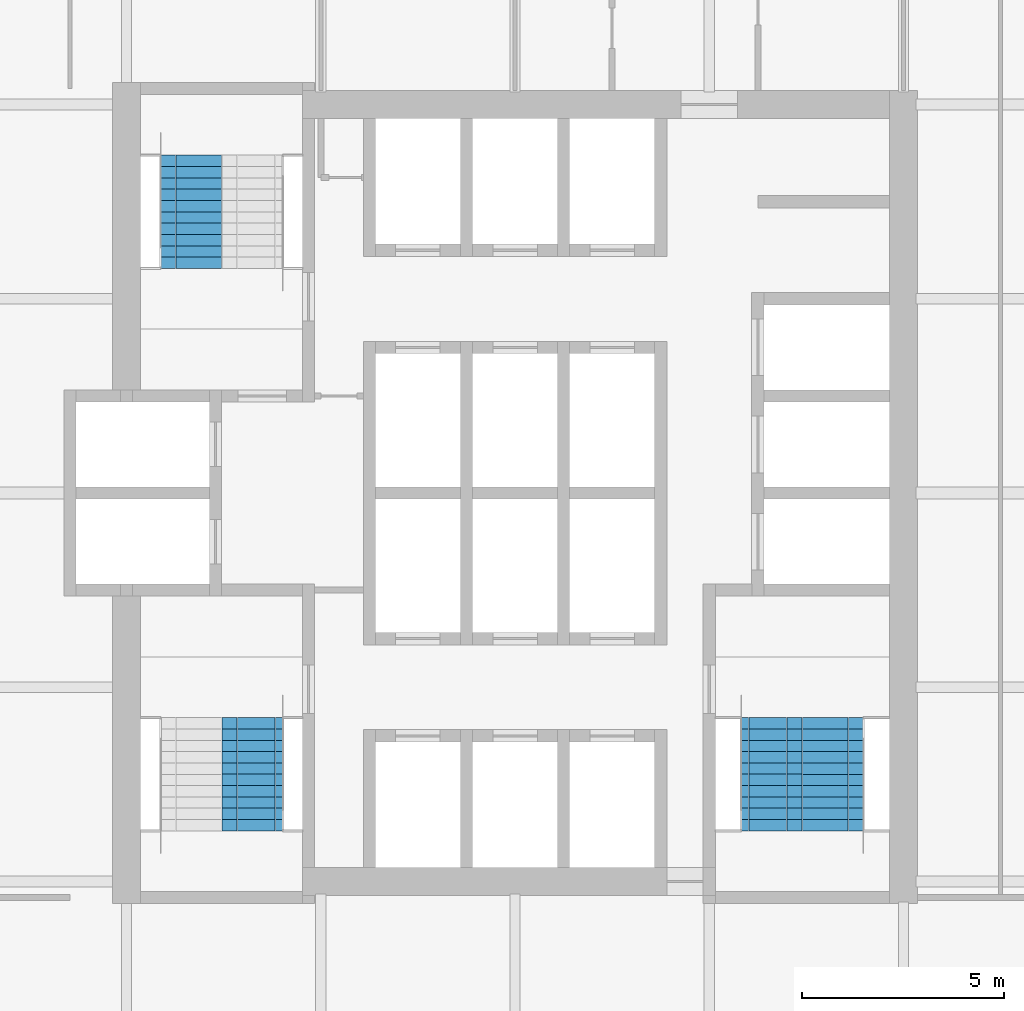
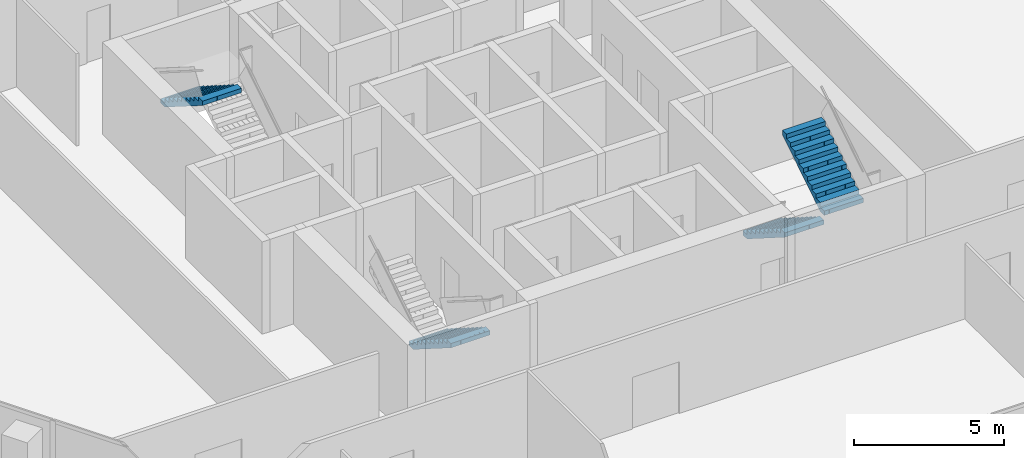
# One storey, part 12 of 15: 4 stair flights, 3 elements without a shape of their own.
"""IFC4 building model written with IfcOpenShell, lengths in metres."""

from ifc_helpers import new_model, si_unit, direction, frame, origin, place, context, subcontext, project, spatial, polyline, outline, extrude, material, type_object, element, aggregate, save


model = new_model("IFC4")

# Units and contexts
model_context = context("Model", 3, precision=1e-05, world=origin(), true_north=direction((0.0, 1.0)))
body_context = subcontext(model_context, "Body", "Model", "MODEL_VIEW")
ifc_project = project(units=[si_unit("LENGTHUNIT", "METRE"), si_unit("AREAUNIT", "SQUARE_METRE"), si_unit("VOLUMEUNIT", "CUBIC_METRE"), si_unit("PLANEANGLEUNIT", "RADIAN"), si_unit("MASSUNIT", "GRAM", prefix="KILO")], contexts=[model_context])

# Site, building, storey
site_placement = place(None, origin())
site = spatial("IfcSite", under=ifc_project, at=site_placement, CompositionType="ELEMENT")
building_placement = place(site_placement, origin())
building = spatial("IfcBuilding", under=site, at=building_placement, Name="Kolab Exchange Tower", CompositionType="ELEMENT")
storey_placement = place(building_placement, frame((0.0, 0.0, 158.300048828125)))
storey = spatial("IfcBuildingStorey", under=building, at=storey_placement, Name="L32", CompositionType="ELEMENT", Elevation=158.300048828125)

# Stair, stair flight
ifc_material = material(Name="Concrete C50/60", Category="concrete")
stair_type_1 = type_object("IfcStairType", Name="STAIR ST1 RISER 177.3", PredefinedType="HALF_TURN_STAIR", material=ifc_material)
stair_1_placement = place(storey_placement, origin())
stair_1 = element("IfcStair", 1, at=stair_1_placement, inside=storey, type_object=stair_type_1, Name="Stair 1", PredefinedType="HALF_TURN_STAIR")
stair_flight_type = type_object("IfcStairFlightType", Name="STAIR FLIGHT 1500 RISER 177.3", PredefinedType="STRAIGHT", material=ifc_material)
stair_flight_1_placement = place(storey_placement, frame((-8.010009765625, 8.35009765625, 1.949951171875), z_axis=(0.0, 0.0, 1.0), x_axis=(0.0, -1.0, 0.0)))
stair_flight_1 = element("IfcStairFlight", 2, at=stair_flight_1_placement, type_object=stair_flight_type, Name="ST1 flight 2", NumberOfRisers=11, NumberOfTreads=10, PredefinedType="STRAIGHT", RiserHeight=0.177272727, TreadLength=0.28, context=body_context, shape_type="SweptSolid", body=[
    extrude(outline(polyline([(0.0, 0.0), (0.0, 0.17724609375), (0.280029296875, 0.17724609375), (0.280029296875, 0.3544921875), (0.56005859375, 0.3544921875), (0.56005859375, 0.53173828125), (0.840087890625, 0.53173828125), (0.840087890625, 0.708984375), (1.1201171875, 0.708984375), (1.1201171875, 0.886474609375), (1.39990234375, 0.886474609375), (1.39990234375, 1.063720703125), (1.679931640625, 1.063720703125), (1.679931640625, 1.240966796875), (1.9599609375, 1.240966796875), (1.9599609375, 1.418212890625), (2.239990234375, 1.418212890625), (2.239990234375, 1.595458984375), (2.52001953125, 1.595458984375), (2.52001953125, 1.772705078125), (2.800048828125, 1.772705078125), (2.800048828125, 1.949951171875), (2.800048828125, 1.59521484375), (0.2802734375, 0.0), (0.0, 0.0)])), frame((0.0, 0.75, 0.0), z_axis=(0.0, -1.0, 0.0), x_axis=(1.0, 0.0, 0.0)), (0.0, 0.0, 1.0), 0.185791015625),
    extrude(outline(polyline([(0.0, 0.0), (0.0, 0.17724609375), (0.280029296875, 0.17724609375), (0.280029296875, 0.3544921875), (0.56005859375, 0.3544921875), (0.56005859375, 0.53173828125), (0.840087890625, 0.53173828125), (0.840087890625, 0.708984375), (1.1201171875, 0.708984375), (1.1201171875, 0.886474609375), (1.39990234375, 0.886474609375), (1.39990234375, 1.063720703125), (1.679931640625, 1.063720703125), (1.679931640625, 1.240966796875), (1.9599609375, 1.240966796875), (1.9599609375, 1.418212890625), (2.239990234375, 1.418212890625), (2.239990234375, 1.595458984375), (2.52001953125, 1.595458984375), (2.52001953125, 1.772705078125), (2.800048828125, 1.772705078125), (2.800048828125, 1.949951171875), (2.800048828125, 1.59521484375), (0.2802734375, 0.0), (0.0, 0.0)])), frame((0.0, 0.562255859375, 0.0), z_axis=(0.0, -1.0, 0.0), x_axis=(1.0, 0.0, 0.0)), (0.0, 0.0, 1.0), 0.185791015625),
    extrude(outline(polyline([(0.0, 0.0), (0.0, 0.17724609375), (0.280029296875, 0.17724609375), (0.280029296875, 0.3544921875), (0.56005859375, 0.3544921875), (0.56005859375, 0.53173828125), (0.840087890625, 0.53173828125), (0.840087890625, 0.708984375), (1.1201171875, 0.708984375), (1.1201171875, 0.886474609375), (1.39990234375, 0.886474609375), (1.39990234375, 1.063720703125), (1.679931640625, 1.063720703125), (1.679931640625, 1.240966796875), (1.9599609375, 1.240966796875), (1.9599609375, 1.418212890625), (2.239990234375, 1.418212890625), (2.239990234375, 1.595458984375), (2.52001953125, 1.595458984375), (2.52001953125, 1.772705078125), (2.800048828125, 1.772705078125), (2.800048828125, 1.949951171875), (2.800048828125, 1.59521484375), (0.2802734375, 0.0), (0.0, 0.0)])), frame((0.0, 0.37451171875, 0.0), z_axis=(0.0, -1.0, 0.0), x_axis=(1.0, 0.0, 0.0)), (0.0, 0.0, 1.0), 0.185791015625),
    extrude(outline(polyline([(0.0, 0.0), (0.0, 0.17724609375), (0.280029296875, 0.17724609375), (0.280029296875, 0.3544921875), (0.56005859375, 0.3544921875), (0.56005859375, 0.53173828125), (0.840087890625, 0.53173828125), (0.840087890625, 0.708984375), (1.1201171875, 0.708984375), (1.1201171875, 0.886474609375), (1.39990234375, 0.886474609375), (1.39990234375, 1.063720703125), (1.679931640625, 1.063720703125), (1.679931640625, 1.240966796875), (1.9599609375, 1.240966796875), (1.9599609375, 1.418212890625), (2.239990234375, 1.418212890625), (2.239990234375, 1.595458984375), (2.52001953125, 1.595458984375), (2.52001953125, 1.772705078125), (2.800048828125, 1.772705078125), (2.800048828125, 1.949951171875), (2.800048828125, 1.59521484375), (0.2802734375, 0.0), (0.0, 0.0)])), frame((0.0, 0.186767578125, 0.0), z_axis=(0.0, -1.0, 0.0), x_axis=(1.0, 0.0, 0.0)), (0.0, 0.0, 1.0), 0.185791015625),
    extrude(outline(polyline([(0.0, 0.0), (0.0, 0.17724609375), (0.280029296875, 0.17724609375), (0.280029296875, 0.3544921875), (0.56005859375, 0.3544921875), (0.56005859375, 0.53173828125), (0.840087890625, 0.53173828125), (0.840087890625, 0.708984375), (1.1201171875, 0.708984375), (1.1201171875, 0.886474609375), (1.39990234375, 0.886474609375), (1.39990234375, 1.063720703125), (1.679931640625, 1.063720703125), (1.679931640625, 1.240966796875), (1.9599609375, 1.240966796875), (1.9599609375, 1.418212890625), (2.239990234375, 1.418212890625), (2.239990234375, 1.595458984375), (2.52001953125, 1.595458984375), (2.52001953125, 1.772705078125), (2.800048828125, 1.772705078125), (2.800048828125, 1.949951171875), (2.800048828125, 1.59521484375), (0.2802734375, 0.0), (0.0, 0.0)])), frame((0.0, -0.0009765625, 0.0), z_axis=(0.0, -1.0, 0.0), x_axis=(1.0, 0.0, 0.0)), (0.0, 0.0, 1.0), 0.185791015625),
    extrude(outline(polyline([(0.0, 0.0), (0.0, 0.17724609375), (0.280029296875, 0.17724609375), (0.280029296875, 0.3544921875), (0.56005859375, 0.3544921875), (0.56005859375, 0.53173828125), (0.840087890625, 0.53173828125), (0.840087890625, 0.708984375), (1.1201171875, 0.708984375), (1.1201171875, 0.886474609375), (1.39990234375, 0.886474609375), (1.39990234375, 1.063720703125), (1.679931640625, 1.063720703125), (1.679931640625, 1.240966796875), (1.9599609375, 1.240966796875), (1.9599609375, 1.418212890625), (2.239990234375, 1.418212890625), (2.239990234375, 1.595458984375), (2.52001953125, 1.595458984375), (2.52001953125, 1.772705078125), (2.800048828125, 1.772705078125), (2.800048828125, 1.949951171875), (2.800048828125, 1.59521484375), (0.2802734375, 0.0), (0.0, 0.0)])), frame((0.0, -0.188720703125, 0.0), z_axis=(0.0, -1.0, 0.0), x_axis=(1.0, 0.0, 0.0)), (0.0, 0.0, 1.0), 0.185791015625),
    extrude(outline(polyline([(0.0, 0.0), (0.0, 0.17724609375), (0.280029296875, 0.17724609375), (0.280029296875, 0.3544921875), (0.56005859375, 0.3544921875), (0.56005859375, 0.53173828125), (0.840087890625, 0.53173828125), (0.840087890625, 0.708984375), (1.1201171875, 0.708984375), (1.1201171875, 0.886474609375), (1.39990234375, 0.886474609375), (1.39990234375, 1.063720703125), (1.679931640625, 1.063720703125), (1.679931640625, 1.240966796875), (1.9599609375, 1.240966796875), (1.9599609375, 1.418212890625), (2.239990234375, 1.418212890625), (2.239990234375, 1.595458984375), (2.52001953125, 1.595458984375), (2.52001953125, 1.772705078125), (2.800048828125, 1.772705078125), (2.800048828125, 1.949951171875), (2.800048828125, 1.59521484375), (0.2802734375, 0.0), (0.0, 0.0)])), frame((0.0, -0.37646484375, 0.0), z_axis=(0.0, -1.0, 0.0), x_axis=(1.0, 0.0, 0.0)), (0.0, 0.0, 1.0), 0.185791015625),
    extrude(outline(polyline([(0.0, 0.0), (0.0, 0.17724609375), (0.280029296875, 0.17724609375), (0.280029296875, 0.3544921875), (0.56005859375, 0.3544921875), (0.56005859375, 0.53173828125), (0.840087890625, 0.53173828125), (0.840087890625, 0.708984375), (1.1201171875, 0.708984375), (1.1201171875, 0.886474609375), (1.39990234375, 0.886474609375), (1.39990234375, 1.063720703125), (1.679931640625, 1.063720703125), (1.679931640625, 1.240966796875), (1.9599609375, 1.240966796875), (1.9599609375, 1.418212890625), (2.239990234375, 1.418212890625), (2.239990234375, 1.595458984375), (2.52001953125, 1.595458984375), (2.52001953125, 1.772705078125), (2.800048828125, 1.772705078125), (2.800048828125, 1.949951171875), (2.800048828125, 1.59521484375), (0.2802734375, 0.0), (0.0, 0.0)])), frame((0.0, -0.564208984375, 0.0), z_axis=(0.0, -1.0, 0.0), x_axis=(1.0, 0.0, 0.0)), (0.0, 0.0, 1.0), 0.185791015625),
])
aggregate(stair_1, [stair_flight_1])

stair_type_2 = type_object("IfcStairType", Name="STAIR ST3 RISER 177.3", PredefinedType="HALF_TURN_STAIR", material=ifc_material)
stair_2_placement = place(storey_placement, origin())
stair_2 = element("IfcStair", 3, at=stair_2_placement, inside=storey, type_object=stair_type_2, Name="Stair 3", PredefinedType="HALF_TURN_STAIR")
stair_flight_2_placement = place(storey_placement, frame((-6.489990234375, -5.550048828125, 0.0), z_axis=(0.0, 0.0, 1.0), x_axis=(0.0, -1.0, 0.0)))
stair_flight_2 = element("IfcStairFlight", 4, at=stair_flight_2_placement, type_object=stair_flight_type, Name="ST3 flight 1", NumberOfRisers=11, NumberOfTreads=10, PredefinedType="STRAIGHT", RiserHeight=0.177272727, TreadLength=0.28, context=body_context, shape_type="SweptSolid", body=[
    extrude(outline(polyline([(0.0, 0.0), (0.0, 0.17724609375), (0.280029296875, 0.17724609375), (0.280029296875, 0.3544921875), (0.56005859375, 0.3544921875), (0.56005859375, 0.53173828125), (0.840087890625, 0.53173828125), (0.840087890625, 0.708984375), (1.1201171875, 0.708984375), (1.1201171875, 0.886474609375), (1.39990234375, 0.886474609375), (1.39990234375, 1.063720703125), (1.679931640625, 1.063720703125), (1.679931640625, 1.240966796875), (1.9599609375, 1.240966796875), (1.9599609375, 1.418212890625), (2.239990234375, 1.418212890625), (2.239990234375, 1.595458984375), (2.52001953125, 1.595458984375), (2.52001953125, 1.772705078125), (2.800048828125, 1.772705078125), (2.800048828125, 1.949951171875), (2.800048828125, 1.59521484375), (0.2802734375, 0.0), (0.0, 0.0)])), frame((0.0, 0.75, 0.0), z_axis=(0.0, -1.0, 0.0), x_axis=(1.0, 0.0, 0.0)), (0.0, 0.0, 1.0), 0.185791015625),
    extrude(outline(polyline([(0.0, 0.0), (0.0, 0.17724609375), (0.280029296875, 0.17724609375), (0.280029296875, 0.3544921875), (0.56005859375, 0.3544921875), (0.56005859375, 0.53173828125), (0.840087890625, 0.53173828125), (0.840087890625, 0.708984375), (1.1201171875, 0.708984375), (1.1201171875, 0.886474609375), (1.39990234375, 0.886474609375), (1.39990234375, 1.063720703125), (1.679931640625, 1.063720703125), (1.679931640625, 1.240966796875), (1.9599609375, 1.240966796875), (1.9599609375, 1.418212890625), (2.239990234375, 1.418212890625), (2.239990234375, 1.595458984375), (2.52001953125, 1.595458984375), (2.52001953125, 1.772705078125), (2.800048828125, 1.772705078125), (2.800048828125, 1.949951171875), (2.800048828125, 1.59521484375), (0.2802734375, 0.0), (0.0, 0.0)])), frame((0.0, 0.562255859375, 0.0), z_axis=(0.0, -1.0, 0.0), x_axis=(1.0, 0.0, 0.0)), (0.0, 0.0, 1.0), 0.185791015625),
    extrude(outline(polyline([(0.0, 0.0), (0.0, 0.17724609375), (0.280029296875, 0.17724609375), (0.280029296875, 0.3544921875), (0.56005859375, 0.3544921875), (0.56005859375, 0.53173828125), (0.840087890625, 0.53173828125), (0.840087890625, 0.708984375), (1.1201171875, 0.708984375), (1.1201171875, 0.886474609375), (1.39990234375, 0.886474609375), (1.39990234375, 1.063720703125), (1.679931640625, 1.063720703125), (1.679931640625, 1.240966796875), (1.9599609375, 1.240966796875), (1.9599609375, 1.418212890625), (2.239990234375, 1.418212890625), (2.239990234375, 1.595458984375), (2.52001953125, 1.595458984375), (2.52001953125, 1.772705078125), (2.800048828125, 1.772705078125), (2.800048828125, 1.949951171875), (2.800048828125, 1.59521484375), (0.2802734375, 0.0), (0.0, 0.0)])), frame((0.0, 0.37451171875, 0.0), z_axis=(0.0, -1.0, 0.0), x_axis=(1.0, 0.0, 0.0)), (0.0, 0.0, 1.0), 0.185791015625),
    extrude(outline(polyline([(0.0, 0.0), (0.0, 0.17724609375), (0.280029296875, 0.17724609375), (0.280029296875, 0.3544921875), (0.56005859375, 0.3544921875), (0.56005859375, 0.53173828125), (0.840087890625, 0.53173828125), (0.840087890625, 0.708984375), (1.1201171875, 0.708984375), (1.1201171875, 0.886474609375), (1.39990234375, 0.886474609375), (1.39990234375, 1.063720703125), (1.679931640625, 1.063720703125), (1.679931640625, 1.240966796875), (1.9599609375, 1.240966796875), (1.9599609375, 1.418212890625), (2.239990234375, 1.418212890625), (2.239990234375, 1.595458984375), (2.52001953125, 1.595458984375), (2.52001953125, 1.772705078125), (2.800048828125, 1.772705078125), (2.800048828125, 1.949951171875), (2.800048828125, 1.59521484375), (0.2802734375, 0.0), (0.0, 0.0)])), frame((0.0, 0.186767578125, 0.0), z_axis=(0.0, -1.0, 0.0), x_axis=(1.0, 0.0, 0.0)), (0.0, 0.0, 1.0), 0.185791015625),
    extrude(outline(polyline([(0.0, 0.0), (0.0, 0.17724609375), (0.280029296875, 0.17724609375), (0.280029296875, 0.3544921875), (0.56005859375, 0.3544921875), (0.56005859375, 0.53173828125), (0.840087890625, 0.53173828125), (0.840087890625, 0.708984375), (1.1201171875, 0.708984375), (1.1201171875, 0.886474609375), (1.39990234375, 0.886474609375), (1.39990234375, 1.063720703125), (1.679931640625, 1.063720703125), (1.679931640625, 1.240966796875), (1.9599609375, 1.240966796875), (1.9599609375, 1.418212890625), (2.239990234375, 1.418212890625), (2.239990234375, 1.595458984375), (2.52001953125, 1.595458984375), (2.52001953125, 1.772705078125), (2.800048828125, 1.772705078125), (2.800048828125, 1.949951171875), (2.800048828125, 1.59521484375), (0.2802734375, 0.0), (0.0, 0.0)])), frame((0.0, -0.0009765625, 0.0), z_axis=(0.0, -1.0, 0.0), x_axis=(1.0, 0.0, 0.0)), (0.0, 0.0, 1.0), 0.185791015625),
    extrude(outline(polyline([(0.0, 0.0), (0.0, 0.17724609375), (0.280029296875, 0.17724609375), (0.280029296875, 0.3544921875), (0.56005859375, 0.3544921875), (0.56005859375, 0.53173828125), (0.840087890625, 0.53173828125), (0.840087890625, 0.708984375), (1.1201171875, 0.708984375), (1.1201171875, 0.886474609375), (1.39990234375, 0.886474609375), (1.39990234375, 1.063720703125), (1.679931640625, 1.063720703125), (1.679931640625, 1.240966796875), (1.9599609375, 1.240966796875), (1.9599609375, 1.418212890625), (2.239990234375, 1.418212890625), (2.239990234375, 1.595458984375), (2.52001953125, 1.595458984375), (2.52001953125, 1.772705078125), (2.800048828125, 1.772705078125), (2.800048828125, 1.949951171875), (2.800048828125, 1.59521484375), (0.2802734375, 0.0), (0.0, 0.0)])), frame((0.0, -0.188720703125, 0.0), z_axis=(0.0, -1.0, 0.0), x_axis=(1.0, 0.0, 0.0)), (0.0, 0.0, 1.0), 0.185791015625),
    extrude(outline(polyline([(0.0, 0.0), (0.0, 0.17724609375), (0.280029296875, 0.17724609375), (0.280029296875, 0.3544921875), (0.56005859375, 0.3544921875), (0.56005859375, 0.53173828125), (0.840087890625, 0.53173828125), (0.840087890625, 0.708984375), (1.1201171875, 0.708984375), (1.1201171875, 0.886474609375), (1.39990234375, 0.886474609375), (1.39990234375, 1.063720703125), (1.679931640625, 1.063720703125), (1.679931640625, 1.240966796875), (1.9599609375, 1.240966796875), (1.9599609375, 1.418212890625), (2.239990234375, 1.418212890625), (2.239990234375, 1.595458984375), (2.52001953125, 1.595458984375), (2.52001953125, 1.772705078125), (2.800048828125, 1.772705078125), (2.800048828125, 1.949951171875), (2.800048828125, 1.59521484375), (0.2802734375, 0.0), (0.0, 0.0)])), frame((0.0, -0.37646484375, 0.0), z_axis=(0.0, -1.0, 0.0), x_axis=(1.0, 0.0, 0.0)), (0.0, 0.0, 1.0), 0.185791015625),
    extrude(outline(polyline([(0.0, 0.0), (0.0, 0.17724609375), (0.280029296875, 0.17724609375), (0.280029296875, 0.3544921875), (0.56005859375, 0.3544921875), (0.56005859375, 0.53173828125), (0.840087890625, 0.53173828125), (0.840087890625, 0.708984375), (1.1201171875, 0.708984375), (1.1201171875, 0.886474609375), (1.39990234375, 0.886474609375), (1.39990234375, 1.063720703125), (1.679931640625, 1.063720703125), (1.679931640625, 1.240966796875), (1.9599609375, 1.240966796875), (1.9599609375, 1.418212890625), (2.239990234375, 1.418212890625), (2.239990234375, 1.595458984375), (2.52001953125, 1.595458984375), (2.52001953125, 1.772705078125), (2.800048828125, 1.772705078125), (2.800048828125, 1.949951171875), (2.800048828125, 1.59521484375), (0.2802734375, 0.0), (0.0, 0.0)])), frame((0.0, -0.564208984375, 0.0), z_axis=(0.0, -1.0, 0.0), x_axis=(1.0, 0.0, 0.0)), (0.0, 0.0, 1.0), 0.185791015625),
])
aggregate(stair_2, [stair_flight_2])

# Stair, stair flights
stair_type_3 = type_object("IfcStairType", Name="STAIR ST2 RISER 177.3", PredefinedType="HALF_TURN_STAIR", material=ifc_material)
stair_3_placement = place(storey_placement, origin())
stair_3 = element("IfcStair", 5, at=stair_3_placement, inside=storey, type_object=stair_type_3, Name="Stair 2", PredefinedType="HALF_TURN_STAIR")
stair_flight_3_placement = place(storey_placement, frame((6.340087890625, -5.550048828125, 0.0), z_axis=(0.0, 0.0, 1.0), x_axis=(0.0, -1.0, 0.0)))
stair_flight_3 = element("IfcStairFlight", 6, at=stair_flight_3_placement, type_object=stair_flight_type, Name="ST2 flight 1", NumberOfRisers=11, NumberOfTreads=10, PredefinedType="STRAIGHT", RiserHeight=0.177272727, TreadLength=0.28, context=body_context, shape_type="SweptSolid", body=[
    extrude(outline(polyline([(0.0, 0.0), (0.0, 0.17724609375), (0.280029296875, 0.17724609375), (0.280029296875, 0.3544921875), (0.56005859375, 0.3544921875), (0.56005859375, 0.53173828125), (0.840087890625, 0.53173828125), (0.840087890625, 0.708984375), (1.1201171875, 0.708984375), (1.1201171875, 0.886474609375), (1.39990234375, 0.886474609375), (1.39990234375, 1.063720703125), (1.679931640625, 1.063720703125), (1.679931640625, 1.240966796875), (1.9599609375, 1.240966796875), (1.9599609375, 1.418212890625), (2.239990234375, 1.418212890625), (2.239990234375, 1.595458984375), (2.52001953125, 1.595458984375), (2.52001953125, 1.772705078125), (2.800048828125, 1.772705078125), (2.800048828125, 1.949951171875), (2.800048828125, 1.59521484375), (0.2802734375, 0.0), (0.0, 0.0)])), frame((0.0, 0.75, 0.0), z_axis=(0.0, -1.0, 0.0), x_axis=(1.0, 0.0, 0.0)), (0.0, 0.0, 1.0), 0.185791015625),
    extrude(outline(polyline([(0.0, 0.0), (0.0, 0.17724609375), (0.280029296875, 0.17724609375), (0.280029296875, 0.3544921875), (0.56005859375, 0.3544921875), (0.56005859375, 0.53173828125), (0.840087890625, 0.53173828125), (0.840087890625, 0.708984375), (1.1201171875, 0.708984375), (1.1201171875, 0.886474609375), (1.39990234375, 0.886474609375), (1.39990234375, 1.063720703125), (1.679931640625, 1.063720703125), (1.679931640625, 1.240966796875), (1.9599609375, 1.240966796875), (1.9599609375, 1.418212890625), (2.239990234375, 1.418212890625), (2.239990234375, 1.595458984375), (2.52001953125, 1.595458984375), (2.52001953125, 1.772705078125), (2.800048828125, 1.772705078125), (2.800048828125, 1.949951171875), (2.800048828125, 1.59521484375), (0.2802734375, 0.0), (0.0, 0.0)])), frame((0.0, 0.562255859375, 0.0), z_axis=(0.0, -1.0, 0.0), x_axis=(1.0, 0.0, 0.0)), (0.0, 0.0, 1.0), 0.185791015625),
    extrude(outline(polyline([(0.0, 0.0), (0.0, 0.17724609375), (0.280029296875, 0.17724609375), (0.280029296875, 0.3544921875), (0.56005859375, 0.3544921875), (0.56005859375, 0.53173828125), (0.840087890625, 0.53173828125), (0.840087890625, 0.708984375), (1.1201171875, 0.708984375), (1.1201171875, 0.886474609375), (1.39990234375, 0.886474609375), (1.39990234375, 1.063720703125), (1.679931640625, 1.063720703125), (1.679931640625, 1.240966796875), (1.9599609375, 1.240966796875), (1.9599609375, 1.418212890625), (2.239990234375, 1.418212890625), (2.239990234375, 1.595458984375), (2.52001953125, 1.595458984375), (2.52001953125, 1.772705078125), (2.800048828125, 1.772705078125), (2.800048828125, 1.949951171875), (2.800048828125, 1.59521484375), (0.2802734375, 0.0), (0.0, 0.0)])), frame((0.0, 0.37451171875, 0.0), z_axis=(0.0, -1.0, 0.0), x_axis=(1.0, 0.0, 0.0)), (0.0, 0.0, 1.0), 0.185791015625),
    extrude(outline(polyline([(0.0, 0.0), (0.0, 0.17724609375), (0.280029296875, 0.17724609375), (0.280029296875, 0.3544921875), (0.56005859375, 0.3544921875), (0.56005859375, 0.53173828125), (0.840087890625, 0.53173828125), (0.840087890625, 0.708984375), (1.1201171875, 0.708984375), (1.1201171875, 0.886474609375), (1.39990234375, 0.886474609375), (1.39990234375, 1.063720703125), (1.679931640625, 1.063720703125), (1.679931640625, 1.240966796875), (1.9599609375, 1.240966796875), (1.9599609375, 1.418212890625), (2.239990234375, 1.418212890625), (2.239990234375, 1.595458984375), (2.52001953125, 1.595458984375), (2.52001953125, 1.772705078125), (2.800048828125, 1.772705078125), (2.800048828125, 1.949951171875), (2.800048828125, 1.59521484375), (0.2802734375, 0.0), (0.0, 0.0)])), frame((0.0, 0.186767578125, 0.0), z_axis=(0.0, -1.0, 0.0), x_axis=(1.0, 0.0, 0.0)), (0.0, 0.0, 1.0), 0.185791015625),
    extrude(outline(polyline([(0.0, 0.0), (0.0, 0.17724609375), (0.280029296875, 0.17724609375), (0.280029296875, 0.3544921875), (0.56005859375, 0.3544921875), (0.56005859375, 0.53173828125), (0.840087890625, 0.53173828125), (0.840087890625, 0.708984375), (1.1201171875, 0.708984375), (1.1201171875, 0.886474609375), (1.39990234375, 0.886474609375), (1.39990234375, 1.063720703125), (1.679931640625, 1.063720703125), (1.679931640625, 1.240966796875), (1.9599609375, 1.240966796875), (1.9599609375, 1.418212890625), (2.239990234375, 1.418212890625), (2.239990234375, 1.595458984375), (2.52001953125, 1.595458984375), (2.52001953125, 1.772705078125), (2.800048828125, 1.772705078125), (2.800048828125, 1.949951171875), (2.800048828125, 1.59521484375), (0.2802734375, 0.0), (0.0, 0.0)])), frame((0.0, -0.0009765625, 0.0), z_axis=(0.0, -1.0, 0.0), x_axis=(1.0, 0.0, 0.0)), (0.0, 0.0, 1.0), 0.185791015625),
    extrude(outline(polyline([(0.0, 0.0), (0.0, 0.17724609375), (0.280029296875, 0.17724609375), (0.280029296875, 0.3544921875), (0.56005859375, 0.3544921875), (0.56005859375, 0.53173828125), (0.840087890625, 0.53173828125), (0.840087890625, 0.708984375), (1.1201171875, 0.708984375), (1.1201171875, 0.886474609375), (1.39990234375, 0.886474609375), (1.39990234375, 1.063720703125), (1.679931640625, 1.063720703125), (1.679931640625, 1.240966796875), (1.9599609375, 1.240966796875), (1.9599609375, 1.418212890625), (2.239990234375, 1.418212890625), (2.239990234375, 1.595458984375), (2.52001953125, 1.595458984375), (2.52001953125, 1.772705078125), (2.800048828125, 1.772705078125), (2.800048828125, 1.949951171875), (2.800048828125, 1.59521484375), (0.2802734375, 0.0), (0.0, 0.0)])), frame((0.0, -0.188720703125, 0.0), z_axis=(0.0, -1.0, 0.0), x_axis=(1.0, 0.0, 0.0)), (0.0, 0.0, 1.0), 0.185791015625),
    extrude(outline(polyline([(0.0, 0.0), (0.0, 0.17724609375), (0.280029296875, 0.17724609375), (0.280029296875, 0.3544921875), (0.56005859375, 0.3544921875), (0.56005859375, 0.53173828125), (0.840087890625, 0.53173828125), (0.840087890625, 0.708984375), (1.1201171875, 0.708984375), (1.1201171875, 0.886474609375), (1.39990234375, 0.886474609375), (1.39990234375, 1.063720703125), (1.679931640625, 1.063720703125), (1.679931640625, 1.240966796875), (1.9599609375, 1.240966796875), (1.9599609375, 1.418212890625), (2.239990234375, 1.418212890625), (2.239990234375, 1.595458984375), (2.52001953125, 1.595458984375), (2.52001953125, 1.772705078125), (2.800048828125, 1.772705078125), (2.800048828125, 1.949951171875), (2.800048828125, 1.59521484375), (0.2802734375, 0.0), (0.0, 0.0)])), frame((0.0, -0.37646484375, 0.0), z_axis=(0.0, -1.0, 0.0), x_axis=(1.0, 0.0, 0.0)), (0.0, 0.0, 1.0), 0.185791015625),
    extrude(outline(polyline([(0.0, 0.0), (0.0, 0.17724609375), (0.280029296875, 0.17724609375), (0.280029296875, 0.3544921875), (0.56005859375, 0.3544921875), (0.56005859375, 0.53173828125), (0.840087890625, 0.53173828125), (0.840087890625, 0.708984375), (1.1201171875, 0.708984375), (1.1201171875, 0.886474609375), (1.39990234375, 0.886474609375), (1.39990234375, 1.063720703125), (1.679931640625, 1.063720703125), (1.679931640625, 1.240966796875), (1.9599609375, 1.240966796875), (1.9599609375, 1.418212890625), (2.239990234375, 1.418212890625), (2.239990234375, 1.595458984375), (2.52001953125, 1.595458984375), (2.52001953125, 1.772705078125), (2.800048828125, 1.772705078125), (2.800048828125, 1.949951171875), (2.800048828125, 1.59521484375), (0.2802734375, 0.0), (0.0, 0.0)])), frame((0.0, -0.564208984375, 0.0), z_axis=(0.0, -1.0, 0.0), x_axis=(1.0, 0.0, 0.0)), (0.0, 0.0, 1.0), 0.185791015625),
])
stair_flight_4_placement = place(storey_placement, frame((7.860107421875, -8.35009765625, 1.949951171875), z_axis=(0.0, 0.0, 1.0), x_axis=(0.0, 1.0, 0.0)))
stair_flight_4 = element("IfcStairFlight", 7, at=stair_flight_4_placement, type_object=stair_flight_type, Name="ST2 flight 2", NumberOfRisers=11, NumberOfTreads=10, PredefinedType="STRAIGHT", RiserHeight=0.177272727, TreadLength=0.28, context=body_context, shape_type="SweptSolid", body=[
    extrude(outline(polyline([(0.0, 0.0), (0.0, 0.17724609375), (0.280029296875, 0.17724609375), (0.280029296875, 0.3544921875), (0.56005859375, 0.3544921875), (0.56005859375, 0.53173828125), (0.840087890625, 0.53173828125), (0.840087890625, 0.708984375), (1.1201171875, 0.708984375), (1.1201171875, 0.886474609375), (1.39990234375, 0.886474609375), (1.39990234375, 1.063720703125), (1.679931640625, 1.063720703125), (1.679931640625, 1.240966796875), (1.9599609375, 1.240966796875), (1.9599609375, 1.418212890625), (2.239990234375, 1.418212890625), (2.239990234375, 1.595458984375), (2.52001953125, 1.595458984375), (2.52001953125, 1.772705078125), (2.800048828125, 1.772705078125), (2.800048828125, 1.949951171875), (2.800048828125, 1.59521484375), (0.2802734375, 0.0), (0.0, 0.0)])), frame((0.0, 0.75, 0.0), z_axis=(0.0, -1.0, 0.0), x_axis=(1.0, 0.0, 0.0)), (0.0, 0.0, 1.0), 0.185791015625),
    extrude(outline(polyline([(0.0, 0.0), (0.0, 0.17724609375), (0.280029296875, 0.17724609375), (0.280029296875, 0.3544921875), (0.56005859375, 0.3544921875), (0.56005859375, 0.53173828125), (0.840087890625, 0.53173828125), (0.840087890625, 0.708984375), (1.1201171875, 0.708984375), (1.1201171875, 0.886474609375), (1.39990234375, 0.886474609375), (1.39990234375, 1.063720703125), (1.679931640625, 1.063720703125), (1.679931640625, 1.240966796875), (1.9599609375, 1.240966796875), (1.9599609375, 1.418212890625), (2.239990234375, 1.418212890625), (2.239990234375, 1.595458984375), (2.52001953125, 1.595458984375), (2.52001953125, 1.772705078125), (2.800048828125, 1.772705078125), (2.800048828125, 1.949951171875), (2.800048828125, 1.59521484375), (0.2802734375, 0.0), (0.0, 0.0)])), frame((0.0, 0.562255859375, 0.0), z_axis=(0.0, -1.0, 0.0), x_axis=(1.0, 0.0, 0.0)), (0.0, 0.0, 1.0), 0.185791015625),
    extrude(outline(polyline([(0.0, 0.0), (0.0, 0.17724609375), (0.280029296875, 0.17724609375), (0.280029296875, 0.3544921875), (0.56005859375, 0.3544921875), (0.56005859375, 0.53173828125), (0.840087890625, 0.53173828125), (0.840087890625, 0.708984375), (1.1201171875, 0.708984375), (1.1201171875, 0.886474609375), (1.39990234375, 0.886474609375), (1.39990234375, 1.063720703125), (1.679931640625, 1.063720703125), (1.679931640625, 1.240966796875), (1.9599609375, 1.240966796875), (1.9599609375, 1.418212890625), (2.239990234375, 1.418212890625), (2.239990234375, 1.595458984375), (2.52001953125, 1.595458984375), (2.52001953125, 1.772705078125), (2.800048828125, 1.772705078125), (2.800048828125, 1.949951171875), (2.800048828125, 1.59521484375), (0.2802734375, 0.0), (0.0, 0.0)])), frame((0.0, 0.37451171875, 0.0), z_axis=(0.0, -1.0, 0.0), x_axis=(1.0, 0.0, 0.0)), (0.0, 0.0, 1.0), 0.185791015625),
    extrude(outline(polyline([(0.0, 0.0), (0.0, 0.17724609375), (0.280029296875, 0.17724609375), (0.280029296875, 0.3544921875), (0.56005859375, 0.3544921875), (0.56005859375, 0.53173828125), (0.840087890625, 0.53173828125), (0.840087890625, 0.708984375), (1.1201171875, 0.708984375), (1.1201171875, 0.886474609375), (1.39990234375, 0.886474609375), (1.39990234375, 1.063720703125), (1.679931640625, 1.063720703125), (1.679931640625, 1.240966796875), (1.9599609375, 1.240966796875), (1.9599609375, 1.418212890625), (2.239990234375, 1.418212890625), (2.239990234375, 1.595458984375), (2.52001953125, 1.595458984375), (2.52001953125, 1.772705078125), (2.800048828125, 1.772705078125), (2.800048828125, 1.949951171875), (2.800048828125, 1.59521484375), (0.2802734375, 0.0), (0.0, 0.0)])), frame((0.0, 0.186767578125, 0.0), z_axis=(0.0, -1.0, 0.0), x_axis=(1.0, 0.0, 0.0)), (0.0, 0.0, 1.0), 0.185791015625),
    extrude(outline(polyline([(0.0, 0.0), (0.0, 0.17724609375), (0.280029296875, 0.17724609375), (0.280029296875, 0.3544921875), (0.56005859375, 0.3544921875), (0.56005859375, 0.53173828125), (0.840087890625, 0.53173828125), (0.840087890625, 0.708984375), (1.1201171875, 0.708984375), (1.1201171875, 0.886474609375), (1.39990234375, 0.886474609375), (1.39990234375, 1.063720703125), (1.679931640625, 1.063720703125), (1.679931640625, 1.240966796875), (1.9599609375, 1.240966796875), (1.9599609375, 1.418212890625), (2.239990234375, 1.418212890625), (2.239990234375, 1.595458984375), (2.52001953125, 1.595458984375), (2.52001953125, 1.772705078125), (2.800048828125, 1.772705078125), (2.800048828125, 1.949951171875), (2.800048828125, 1.59521484375), (0.2802734375, 0.0), (0.0, 0.0)])), frame((0.0, -0.0009765625, 0.0), z_axis=(0.0, -1.0, 0.0), x_axis=(1.0, 0.0, 0.0)), (0.0, 0.0, 1.0), 0.185791015625),
    extrude(outline(polyline([(0.0, 0.0), (0.0, 0.17724609375), (0.280029296875, 0.17724609375), (0.280029296875, 0.3544921875), (0.56005859375, 0.3544921875), (0.56005859375, 0.53173828125), (0.840087890625, 0.53173828125), (0.840087890625, 0.708984375), (1.1201171875, 0.708984375), (1.1201171875, 0.886474609375), (1.39990234375, 0.886474609375), (1.39990234375, 1.063720703125), (1.679931640625, 1.063720703125), (1.679931640625, 1.240966796875), (1.9599609375, 1.240966796875), (1.9599609375, 1.418212890625), (2.239990234375, 1.418212890625), (2.239990234375, 1.595458984375), (2.52001953125, 1.595458984375), (2.52001953125, 1.772705078125), (2.800048828125, 1.772705078125), (2.800048828125, 1.949951171875), (2.800048828125, 1.59521484375), (0.2802734375, 0.0), (0.0, 0.0)])), frame((0.0, -0.188720703125, 0.0), z_axis=(0.0, -1.0, 0.0), x_axis=(1.0, 0.0, 0.0)), (0.0, 0.0, 1.0), 0.185791015625),
    extrude(outline(polyline([(0.0, 0.0), (0.0, 0.17724609375), (0.280029296875, 0.17724609375), (0.280029296875, 0.3544921875), (0.56005859375, 0.3544921875), (0.56005859375, 0.53173828125), (0.840087890625, 0.53173828125), (0.840087890625, 0.708984375), (1.1201171875, 0.708984375), (1.1201171875, 0.886474609375), (1.39990234375, 0.886474609375), (1.39990234375, 1.063720703125), (1.679931640625, 1.063720703125), (1.679931640625, 1.240966796875), (1.9599609375, 1.240966796875), (1.9599609375, 1.418212890625), (2.239990234375, 1.418212890625), (2.239990234375, 1.595458984375), (2.52001953125, 1.595458984375), (2.52001953125, 1.772705078125), (2.800048828125, 1.772705078125), (2.800048828125, 1.949951171875), (2.800048828125, 1.59521484375), (0.2802734375, 0.0), (0.0, 0.0)])), frame((0.0, -0.37646484375, 0.0), z_axis=(0.0, -1.0, 0.0), x_axis=(1.0, 0.0, 0.0)), (0.0, 0.0, 1.0), 0.185791015625),
    extrude(outline(polyline([(0.0, 0.0), (0.0, 0.17724609375), (0.280029296875, 0.17724609375), (0.280029296875, 0.3544921875), (0.56005859375, 0.3544921875), (0.56005859375, 0.53173828125), (0.840087890625, 0.53173828125), (0.840087890625, 0.708984375), (1.1201171875, 0.708984375), (1.1201171875, 0.886474609375), (1.39990234375, 0.886474609375), (1.39990234375, 1.063720703125), (1.679931640625, 1.063720703125), (1.679931640625, 1.240966796875), (1.9599609375, 1.240966796875), (1.9599609375, 1.418212890625), (2.239990234375, 1.418212890625), (2.239990234375, 1.595458984375), (2.52001953125, 1.595458984375), (2.52001953125, 1.772705078125), (2.800048828125, 1.772705078125), (2.800048828125, 1.949951171875), (2.800048828125, 1.59521484375), (0.2802734375, 0.0), (0.0, 0.0)])), frame((0.0, -0.564208984375, 0.0), z_axis=(0.0, -1.0, 0.0), x_axis=(1.0, 0.0, 0.0)), (0.0, 0.0, 1.0), 0.185791015625),
])
aggregate(stair_3, [stair_flight_3, stair_flight_4])

save(model, "model.ifc")
